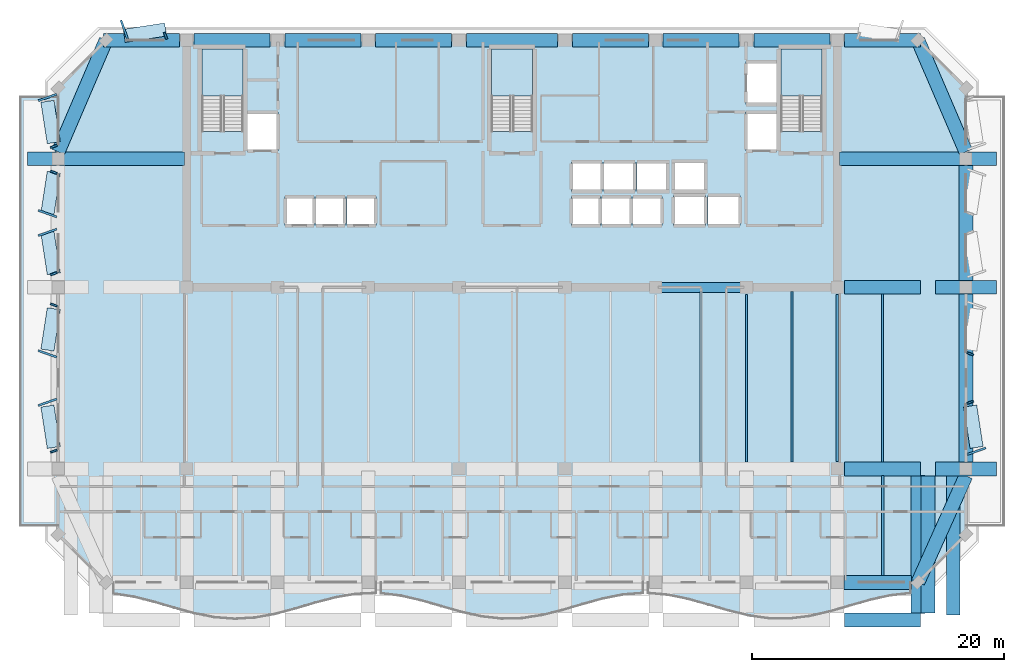
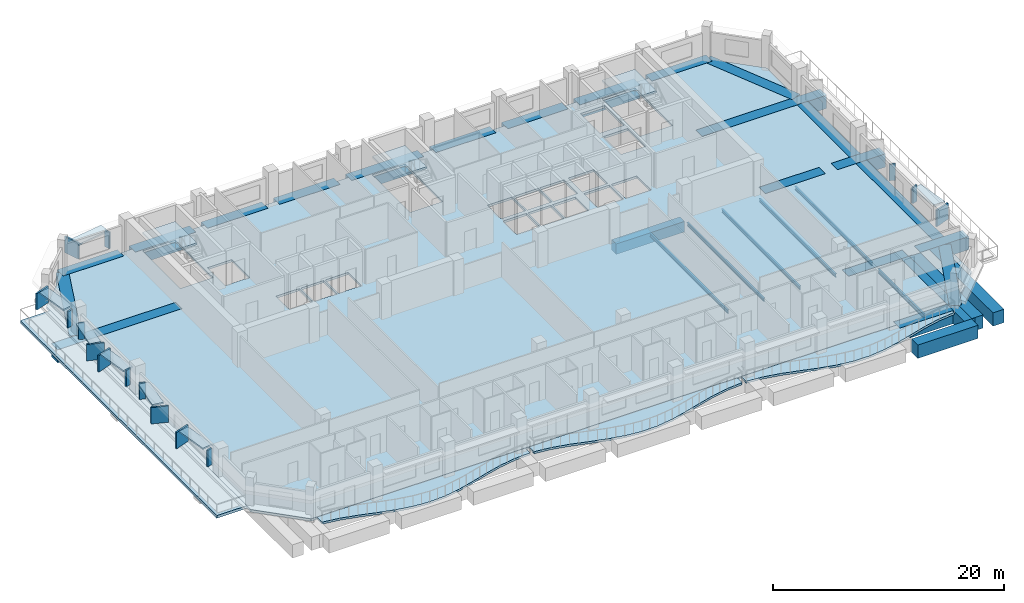
# One storey, part 2 of 13: 32 beams, 22 plates, 8 slabs, 3 elements without a shape of their own.
"""IFC4 building model written with IfcOpenShell, lengths in metres."""

from ifc_helpers import new_model, si_unit, direction, frame, origin, origin_2d, place, context, subcontext, project, spatial, polyline, rectangle, i_section, outline, extrude, material, layer, layer_set, material_profile, profile_set, type_object, element, aggregate, save


model = new_model("IFC4")

# Units and contexts
model_context = context("Model", 3, precision=1e-05, world=origin(), true_north=direction((0.0, 1.0)))
body_context = subcontext(model_context, "Body", "Model", "MODEL_VIEW")
ifc_project = project(units=[si_unit("LENGTHUNIT", "METRE"), si_unit("AREAUNIT", "SQUARE_METRE"), si_unit("VOLUMEUNIT", "CUBIC_METRE"), si_unit("PLANEANGLEUNIT", "RADIAN"), si_unit("MASSUNIT", "GRAM", prefix="KILO")], contexts=[model_context])

# Site, building, storey
site_placement = place(None, origin())
site = spatial("IfcSite", under=ifc_project, at=site_placement, CompositionType="ELEMENT")
building_placement = place(site_placement, origin())
building = spatial("IfcBuilding", under=site, at=building_placement, Name="Kaelvorn Grand Hotel", CompositionType="ELEMENT")
storey_placement = place(building_placement, frame((0.0, 0.0, 229.14990234375)))
storey = spatial("IfcBuildingStorey", under=building, at=storey_placement, Name="L56", CompositionType="ELEMENT", Elevation=229.14990234375)

# Beams
ifc_material_1 = material(Name="Steel S355", Category="steel")
ifc_material_profile_1 = material_profile(ifc_material_1, i_section(OverallWidth=0.169921875, OverallDepth=0.360107421875, WebThickness=0.008056640625, FlangeThickness=0.0126953125, FilletRadius=0.01806640625, at=origin_2d()), Name="IPE 360")
ifc_profile_set_1 = profile_set([ifc_material_profile_1], Name="Steel S355")
beam_type_1 = type_object("IfcBeamType", Name="BM-J-IPE360-S355", PredefinedType="JOIST", material=ifc_profile_set_1)
beam_1_placement = place(storey_placement, frame((57.0, 15.534912109375, -0.419921875), z_axis=(0.0, 1.0, 0.0), x_axis=(-1.0, 0.0, 0.0)))
element("IfcBeam", 1, at=beam_1_placement, inside=storey, type_object=beam_type_1, Name="L56 Composite Floor Joist JM-16", PredefinedType="JOIST", context=body_context, shape_type="SweptSolid", body=[
    extrude(i_section(OverallWidth=0.169921875, OverallDepth=0.360107421875, WebThickness=0.008056640625, FlangeThickness=0.0126953125, FilletRadius=0.01806640625, at=origin_2d()), origin(), (0.0, 0.0, 1.0), 13.525146484375),
])
beam_2_placement = place(storey_placement, frame((60.60009765625, 15.534912109375, -0.419921875), z_axis=(0.0, 1.0, 0.0), x_axis=(-1.0, 0.0, 0.0)))
element("IfcBeam", 2, at=beam_2_placement, inside=storey, type_object=beam_type_1, Name="L56 Composite Floor Joist JM-17", PredefinedType="JOIST", context=body_context, shape_type="SweptSolid", body=[
    extrude(i_section(OverallWidth=0.169921875, OverallDepth=0.360107421875, WebThickness=0.008056640625, FlangeThickness=0.0126953125, FilletRadius=0.01806640625, at=origin_2d()), origin(), (0.0, 0.0, 1.0), 13.280029296875),
])
beam_3_placement = place(storey_placement, frame((64.199951171875, 15.534912109375, -0.419921875), z_axis=(0.0, 1.0, 0.0), x_axis=(-1.0, 0.0, 0.0)))
element("IfcBeam", 3, at=beam_3_placement, inside=storey, type_object=beam_type_1, Name="L56 Composite Floor Joist JM-18", PredefinedType="JOIST", context=body_context, shape_type="SweptSolid", body=[
    extrude(i_section(OverallWidth=0.169921875, OverallDepth=0.360107421875, WebThickness=0.008056640625, FlangeThickness=0.0126953125, FilletRadius=0.01806640625, at=origin_2d()), origin(), (0.0, 0.0, 1.0), 13.525146484375),
])
beam_4_placement = place(storey_placement, frame((67.800048828125, 15.5849609375, -0.419921875), z_axis=(0.0, 1.0, 0.0), x_axis=(-1.0, 0.0, 0.0)))
element("IfcBeam", 4, at=beam_4_placement, inside=storey, type_object=beam_type_1, Name="L56 Composite Floor Joist JM-19", PredefinedType="JOIST", context=body_context, shape_type="SweptSolid", body=[
    extrude(i_section(OverallWidth=0.169921875, OverallDepth=0.360107421875, WebThickness=0.008056640625, FlangeThickness=0.0126953125, FilletRadius=0.01806640625, at=origin_2d()), origin(), (0.0, 0.0, 1.0), 13.22998046875),
])
beam_5_placement = place(storey_placement, frame((71.39990234375, 15.534912109375, -0.419921875), z_axis=(0.0, 1.0, 0.0), x_axis=(-1.0, 0.0, 0.0)))
element("IfcBeam", 5, at=beam_5_placement, inside=storey, type_object=beam_type_1, Name="L56 Composite Floor Joist JM-20", PredefinedType="JOIST", context=body_context, shape_type="SweptSolid", body=[
    extrude(i_section(OverallWidth=0.169921875, OverallDepth=0.360107421875, WebThickness=0.008056640625, FlangeThickness=0.0126953125, FilletRadius=0.01806640625, at=origin_2d()), origin(), (0.0, 0.0, 1.0), 13.330078125),
])
ifc_material_profile_2 = material_profile(ifc_material_1, i_section(OverallWidth=0.18994140625, OverallDepth=0.449951171875, WebThickness=0.009521484375, FlangeThickness=0.0146484375, FilletRadius=0.02099609375, at=origin_2d()), Name="IPE 450")
ifc_profile_set_2 = profile_set([ifc_material_profile_2], Name="Steel S355")
beam_type_2 = type_object("IfcBeamType", Name="BM-J-IPE450-S355", PredefinedType="JOIST", material=ifc_profile_set_2)
beam_6_placement = place(storey_placement, frame((71.39990234375, 6.534912109375, -0.46484375), z_axis=(0.0, 1.0, 0.0), x_axis=(-1.0, 0.0, 0.0)))
element("IfcBeam", 6, at=beam_6_placement, inside=storey, type_object=beam_type_2, Name="L56 Composite Floor Joist JS-20", PredefinedType="JOIST", context=body_context, shape_type="SweptSolid", body=[
    extrude(i_section(OverallWidth=0.18994140625, OverallDepth=0.449951171875, WebThickness=0.009521484375, FlangeThickness=0.0146484375, FilletRadius=0.02099609375, at=origin_2d()), origin(), (0.0, 0.0, 1.0), 7.93017578125),
])
ifc_material_2 = material(Name="Concrete C60/75", Category="concrete")
ifc_material_profile_3 = material_profile(ifc_material_2, rectangle(XDim=0.800048828125, YDim=1.10009765625, at=origin_2d()), Name="RC LINTEL 800x1100")
ifc_profile_set_3 = profile_set([ifc_material_profile_3], Name="Concrete C60/75")
beam_type_3 = type_object("IfcBeamType", Name="BM-LIN-800x1100-C60", PredefinedType="LINTEL", material=ifc_profile_set_3)
beam_7_placement = place(storey_placement, frame((53.580078125, 29.39990234375, -0.789794921875), z_axis=(1.0, 0.0, 0.0), x_axis=(0.0, 1.0, 0.0)))
element("IfcBeam", 7, at=beam_7_placement, inside=storey, type_object=beam_type_3, Name="L56 Rear-Core Coupling Lintel Beam CB1-03", PredefinedType="LINTEL", context=body_context, shape_type="SweptSolid", body=[
    extrude(rectangle(XDim=0.800048828125, YDim=1.10009765625, at=origin_2d()), origin(), (0.0, 0.0, 1.0), 6.83984375),
])
ifc_material_profile_4 = material_profile(ifc_material_2, rectangle(XDim=1.10009765625, YDim=1.39990234375, at=origin_2d()), Name="RC TG 1100x1400")
ifc_profile_set_4 = profile_set([ifc_material_profile_4], Name="Concrete C60/75")
beam_type_4 = type_object("IfcBeamType", Name="BM-TG-1100x1400-C60", PredefinedType="USERDEFINED", material=ifc_profile_set_4)
beam_8_placement = place(storey_placement, frame((68.385009765625, 15.0, -0.699951171875), z_axis=(1.0, 0.0, 0.0), x_axis=(0.0, 1.0, 0.0)))
element("IfcBeam", 8, at=beam_8_placement, inside=storey, type_object=beam_type_4, Name="L56 Setback Spine Transfer Girder TG2-M15 06", ObjectType="TRANSFER GIRDER", PredefinedType="USERDEFINED", context=body_context, shape_type="SweptSolid", body=[
    extrude(rectangle(XDim=1.10009765625, YDim=1.39990234375, at=origin_2d()), origin(), (0.0, 0.0, 1.0), 6.030029296875),
])
beam_9_placement = place(storey_placement, frame((75.5849609375, 15.0, -0.699951171875), z_axis=(1.0, 0.0, 0.0), x_axis=(0.0, 1.0, 0.0)))
element("IfcBeam", 9, at=beam_9_placement, inside=storey, type_object=beam_type_4, Name="L56 Setback Spine Transfer Girder TG2-M15 07", ObjectType="TRANSFER GIRDER", PredefinedType="USERDEFINED", context=body_context, shape_type="SweptSolid", body=[
    extrude(rectangle(XDim=1.10009765625, YDim=1.39990234375, at=origin_2d()), origin(), (0.0, 0.0, 1.0), 4.830078125),
])
beam_10_placement = place(storey_placement, frame((75.0, 3.5849609375, -0.699951171875), z_axis=(0.0, 1.0, 0.0), x_axis=(-1.0, 0.0, 0.0)))
element("IfcBeam", 10, at=beam_10_placement, inside=storey, type_object=beam_type_4, Name="L56 Setback Radial Transfer Girder TG2-S11 01", ObjectType="TRANSFER GIRDER", PredefinedType="USERDEFINED", context=body_context, shape_type="SweptSolid", body=[
    extrude(rectangle(XDim=1.10009765625, YDim=1.39990234375, at=origin_2d()), origin(), (0.0, 0.0, 1.0), 10.830078125),
])
beam_11_placement = place(storey_placement, frame((77.0, 3.405029296875, -0.699951171875), z_axis=(0.0, 1.0, 0.0), x_axis=(-1.0, 0.0, 0.0)))
element("IfcBeam", 11, at=beam_11_placement, inside=storey, type_object=beam_type_4, Name="L56 Setback Radial Transfer Girder TG2-S12 01", ObjectType="TRANSFER GIRDER", PredefinedType="USERDEFINED", context=body_context, shape_type="SweptSolid", body=[
    extrude(rectangle(XDim=1.10009765625, YDim=1.39990234375, at=origin_2d()), origin(), (0.0, 0.0, 1.0), 11.409912109375),
])
beam_12_placement = place(storey_placement, frame((68.385009765625, 29.39990234375, -0.699951171875), z_axis=(1.0, 0.0, 0.0), x_axis=(0.0, 1.0, 0.0)))
element("IfcBeam", 12, at=beam_12_placement, inside=storey, type_object=beam_type_4, Name="L56 Setback Radial Transfer Girder TG2-E01 01", ObjectType="TRANSFER GIRDER", PredefinedType="USERDEFINED", context=body_context, shape_type="SweptSolid", body=[
    extrude(rectangle(XDim=1.10009765625, YDim=1.39990234375, at=origin_2d()), origin(), (0.0, 0.0, 1.0), 6.030029296875),
])
beam_13_placement = place(storey_placement, frame((75.5849609375, 29.39990234375, -0.699951171875), z_axis=(1.0, 0.0, 0.0), x_axis=(0.0, 1.0, 0.0)))
element("IfcBeam", 13, at=beam_13_placement, inside=storey, type_object=beam_type_4, Name="L56 Setback Radial Transfer Girder TG2-E01 02", ObjectType="TRANSFER GIRDER", PredefinedType="USERDEFINED", context=body_context, shape_type="SweptSolid", body=[
    extrude(rectangle(XDim=1.10009765625, YDim=1.39990234375, at=origin_2d()), origin(), (0.0, 0.0, 1.0), 4.830078125),
])
for number, where, z_axis, x_axis, name in (
    (14, (3.5849609375, 39.60009765625, -0.699951171875), (1.0, 0.0, 0.0), (0.0, 1.0, 0.0), "L56 Setback Radial Transfer Girder TG2-W02 01"),
    (15, (67.985107421875, 39.60009765625, -0.699951171875), (1.0, 0.0, 0.0), (0.0, 1.0, 0.0), "L56 Setback Radial Transfer Girder TG2-E02 01"),
):
    element("IfcBeam", number, at=place(storey_placement, frame(where, z_axis=z_axis, x_axis=x_axis)), inside=storey, type_object=beam_type_4, Name=name, ObjectType="TRANSFER GIRDER", PredefinedType="USERDEFINED", context=body_context, shape_type="SweptSolid", body=[
        extrude(rectangle(XDim=1.10009765625, YDim=1.39990234375, at=origin_2d()), origin(), (0.0, 0.0, 1.0), 12.429931640625),
    ])
for number, where, z_axis, x_axis, name in (
    (16, (9.5849609375, 49.0, -0.699951171875), (1.0, 0.0, 0.0), (0.0, 1.0, 0.0), "L56 Setback North Transfer Girder 02"),
    (17, (16.784912109375, 49.0, -0.699951171875), (1.0, 0.0, 0.0), (0.0, 1.0, 0.0), "L56 Setback North Transfer Girder 03"),
):
    element("IfcBeam", number, at=place(storey_placement, frame(where, z_axis=z_axis, x_axis=x_axis)), inside=storey, type_object=beam_type_4, Name=name, ObjectType="TRANSFER GIRDER", PredefinedType="USERDEFINED", context=body_context, shape_type="SweptSolid", body=[
        extrude(rectangle(XDim=1.10009765625, YDim=1.39990234375, at=origin_2d()), origin(), (0.0, 0.0, 1.0), 6.030029296875),
    ])
beam_14_placement = place(storey_placement, frame((23.985107421875, 49.0, -0.699951171875), z_axis=(1.0, 0.0, 0.0), x_axis=(0.0, 1.0, 0.0)))
element("IfcBeam", 18, at=beam_14_placement, inside=storey, type_object=beam_type_4, Name="L56 Setback North Transfer Girder 04", ObjectType="TRANSFER GIRDER", PredefinedType="USERDEFINED", context=body_context, shape_type="SweptSolid", body=[
    extrude(rectangle(XDim=1.10009765625, YDim=1.39990234375, at=origin_2d()), origin(), (0.0, 0.0, 1.0), 6.02978515625),
])
beam_15_placement = place(storey_placement, frame((31.18505859375, 49.0, -0.699951171875), z_axis=(1.0, 0.0, 0.0), x_axis=(0.0, 1.0, 0.0)))
element("IfcBeam", 19, at=beam_15_placement, inside=storey, type_object=beam_type_4, Name="L56 Setback North Transfer Girder 05", ObjectType="TRANSFER GIRDER", PredefinedType="USERDEFINED", context=body_context, shape_type="SweptSolid", body=[
    extrude(rectangle(XDim=1.10009765625, YDim=1.39990234375, at=origin_2d()), origin(), (0.0, 0.0, 1.0), 6.030029296875),
])
beam_16_placement = place(storey_placement, frame((38.385009765625, 49.0, -0.699951171875), z_axis=(1.0, 0.0, 0.0), x_axis=(0.0, 1.0, 0.0)))
element("IfcBeam", 20, at=beam_16_placement, inside=storey, type_object=beam_type_4, Name="L56 Setback North Transfer Girder 06", ObjectType="TRANSFER GIRDER", PredefinedType="USERDEFINED", context=body_context, shape_type="SweptSolid", body=[
    extrude(rectangle(XDim=1.10009765625, YDim=1.39990234375, at=origin_2d()), origin(), (0.0, 0.0, 1.0), 7.22998046875),
])
beam_17_placement = place(storey_placement, frame((46.784912109375, 49.0, -0.699951171875), z_axis=(1.0, 0.0, 0.0), x_axis=(0.0, 1.0, 0.0)))
element("IfcBeam", 21, at=beam_17_placement, inside=storey, type_object=beam_type_4, Name="L56 Setback North Transfer Girder 07", ObjectType="TRANSFER GIRDER", PredefinedType="USERDEFINED", context=body_context, shape_type="SweptSolid", body=[
    extrude(rectangle(XDim=1.10009765625, YDim=1.39990234375, at=origin_2d()), origin(), (0.0, 0.0, 1.0), 6.030029296875),
])
beam_18_placement = place(storey_placement, frame((53.985107421875, 49.0, -0.699951171875), z_axis=(1.0, 0.0, 0.0), x_axis=(0.0, 1.0, 0.0)))
element("IfcBeam", 22, at=beam_18_placement, inside=storey, type_object=beam_type_4, Name="L56 Setback North Transfer Girder 08", ObjectType="TRANSFER GIRDER", PredefinedType="USERDEFINED", context=body_context, shape_type="SweptSolid", body=[
    extrude(rectangle(XDim=1.10009765625, YDim=1.39990234375, at=origin_2d()), origin(), (0.0, 0.0, 1.0), 6.02978515625),
])
for number, where, z_axis, x_axis, name in (
    (23, (61.18505859375, 49.0, -0.699951171875), (1.0, 0.0, 0.0), (0.0, 1.0, 0.0), "L56 Setback North Transfer Girder 09"),
    (24, (68.385009765625, 49.0, -0.699951171875), (1.0, 0.0, 0.0), (0.0, 1.0, 0.0), "L56 Setback North Transfer Girder 10"),
    (25, (68.385009765625, 3.0, -0.699951171875), (1.0, 0.0, 0.0), (0.0, 1.0, 0.0), "L56 Setback Outer South Transfer Girder 10"),
):
    element("IfcBeam", number, at=place(storey_placement, frame(where, z_axis=z_axis, x_axis=x_axis)), inside=storey, type_object=beam_type_4, Name=name, ObjectType="TRANSFER GIRDER", PredefinedType="USERDEFINED", context=body_context, shape_type="SweptSolid", body=[
        extrude(rectangle(XDim=1.10009765625, YDim=1.39990234375, at=origin_2d()), origin(), (0.0, 0.0, 1.0), 6.030029296875),
    ])
beam_19_placement = place(storey_placement, frame((74.199951171875, 3.534912109375, -0.699951171875), z_axis=(0.0, 1.0, 0.0), x_axis=(-1.0, 0.0, 0.0)))
element("IfcBeam", 26, at=beam_19_placement, inside=storey, type_object=beam_type_4, Name="L56 Setback Corner Radial Transfer Girder CHE", ObjectType="TRANSFER GIRDER", PredefinedType="USERDEFINED", context=body_context, shape_type="SweptSolid", body=[
    extrude(rectangle(XDim=1.10009765625, YDim=1.39990234375, at=origin_2d()), origin(), (0.0, 0.0, 1.0), 10.93017578125),
])
beam_20_placement = place(storey_placement, frame((68.324951171875, 6.0, -0.699951171875), z_axis=(1.0, 0.0, 0.0), x_axis=(0.0, 1.0, 0.0)))
element("IfcBeam", 27, at=beam_20_placement, inside=storey, type_object=beam_type_4, Name="L56 Setback South Ring Transfer Girder 09", ObjectType="TRANSFER GIRDER", PredefinedType="USERDEFINED", context=body_context, shape_type="SweptSolid", body=[
    extrude(rectangle(XDim=1.10009765625, YDim=1.39990234375, at=origin_2d()), origin(), (0.0, 0.0, 1.0), 5.35009765625),
])
beam_21_placement = place(storey_placement, frame((78.0, 15.52490234375, -0.699951171875), z_axis=(0.0, 1.0, 0.0), x_axis=(-1.0, 0.0, 0.0)))
element("IfcBeam", 28, at=beam_21_placement, inside=storey, type_object=beam_type_4, Name="L56 Setback E Ring Transfer Girder 01", ObjectType="TRANSFER GIRDER", PredefinedType="USERDEFINED", context=body_context, shape_type="SweptSolid", body=[
    extrude(rectangle(XDim=1.10009765625, YDim=1.39990234375, at=origin_2d()), origin(), (0.0, 0.0, 1.0), 13.35009765625),
])
beam_22_placement = place(storey_placement, frame((78.0, 29.925048828125, -0.699951171875), z_axis=(0.0, 1.0, 0.0), x_axis=(-1.0, 0.0, 0.0)))
element("IfcBeam", 29, at=beam_22_placement, inside=storey, type_object=beam_type_4, Name="L56 Setback E Ring Transfer Girder 02", ObjectType="TRANSFER GIRDER", PredefinedType="USERDEFINED", context=body_context, shape_type="SweptSolid", body=[
    extrude(rectangle(XDim=1.10009765625, YDim=1.39990234375, at=origin_2d()), origin(), (0.0, 0.0, 1.0), 9.14990234375),
])
beam_23_placement = place(storey_placement, frame((74.199951171875, 6.0, -0.699951171875), z_axis=(0.410146629694, 0.912019595267, 0.0), x_axis=(-0.912019595267, 0.410146629694, 0.0)))
element("IfcBeam", 30, at=beam_23_placement, inside=storey, type_object=beam_type_4, Name="L56 Setback Chamfer Transfer Girder 2", ObjectType="TRANSFER GIRDER", PredefinedType="USERDEFINED", context=body_context, shape_type="SweptSolid", body=[
    extrude(rectangle(XDim=1.10009765625, YDim=1.39990234375, at=origin_2d()), origin(), (0.0, 0.0, 1.0), 9.26513671875),
])
for number, where, z_axis, x_axis, name in (
    (31, (78.0, 40.14990234375, -0.699951171875), (-0.394546358898, 0.918876036623, 0.0), (-0.918876036623, -0.394546358898, 0.0), "L56 Setback Chamfer Transfer Girder 3"),
    (32, (9.800048828125, 49.0, -0.699951171875), (-0.394546358898, -0.918876036623, 0.0), (0.918876036623, -0.394546358898, 0.0), "L56 Setback Chamfer Transfer Girder 4"),
):
    element("IfcBeam", number, at=place(storey_placement, frame(where, z_axis=z_axis, x_axis=x_axis)), inside=storey, type_object=beam_type_4, Name=name, ObjectType="TRANSFER GIRDER", PredefinedType="USERDEFINED", context=body_context, shape_type="SweptSolid", body=[
        extrude(rectangle(XDim=1.10009765625, YDim=1.39990234375, at=origin_2d()), origin(), (0.0, 0.0, 1.0), 9.63134765625),
    ])

# Plates
ifc_material_3 = material(Name="Precast concrete C45/55", Category="concrete")
ifc_layer_1 = layer(ifc_material_3, 0.159912109375)
ifc_layer_set_1 = layer_set([ifc_layer_1], Name="Precast concrete C45/55")
plate_type_1 = type_object("IfcPlateType", Name="PL-FRAME-DEEP-1550", PredefinedType="USERDEFINED", material=ifc_layer_set_1)
for number, where, z_axis, x_axis, name in (
    (33, (78.844970703125, 16.39990234375, 0.81494140625), (0.0, 0.0, 1.0), (-0.333806859234, 0.942641491092, 0.0), "L56 Tilted Precast Window Frame Fin L-E01"),
    (34, (5.155029296875, 20.280029296875, 0.81494140625), (0.0, 0.0, 1.0), (-0.333806859234, 0.942641491092, 0.0), "L56 Tilted Precast Window Frame Fin R-W01"),
    (35, (5.155029296875, 24.1201171875, 0.81494140625), (0.0, 0.0, 1.0), (0.333806859234, 0.942641491092, 0.0), "L56 Tilted Precast Window Frame Fin L-W02"),
    (36, (5.155029296875, 33.7548828125, 0.740234375), (0.0, 0.0, 1.0), (-0.333806859234, 0.942641491092, 0.0), "L56 Tilted Precast Window Frame Fin R-W03"),
    (37, (5.155029296875, 35.2451171875, 0.740234375), (0.0, 0.0, 1.0), (0.333806859234, 0.942641491092, 0.0), "L56 Tilted Precast Window Frame Fin L-W04"),
    (38, (5.155029296875, 44.455078125, 0.81494140625), (0.0, 0.0, 1.0), (-0.333806859234, 0.942641491092, 0.0), "L56 Tilted Precast Window Frame Fin R-W05"),
    (39, (11.2451171875, 49.844970703125, 0.740234375), (0.0, 0.0, 1.0), (0.942641491092, 0.333806859234, 0.0), "L56 Tilted Precast Window Frame Fin L-N01"),
):
    element("IfcPlate", number, at=place(storey_placement, frame(where, z_axis=z_axis, x_axis=x_axis)), inside=storey, type_object=plate_type_1, Name=name, ObjectType="FLANGE_PLATE", PredefinedType="USERDEFINED", context=body_context, shape_type="SweptSolid", body=[
        extrude(rectangle(XDim=0.159912109375, YDim=1.550048828125, at=origin_2d()), origin(), (0.0, 0.0, 1.0), 1.719970703125),
    ])
ifc_layer_2 = layer(ifc_material_3, 0.159912109375)
ifc_layer_set_2 = layer_set([ifc_layer_2], Name="Precast concrete C45/55")
plate_type_2 = type_object("IfcPlateType", Name="PL-FRAME-HEAD-1050", PredefinedType="USERDEFINED", material=ifc_layer_set_2)
for number, where, z_axis, x_axis, name in (
    (40, (78.594970703125, 18.340087890625, 2.5), (0.0, 0.0, 1.0), (-0.152554625759, 0.988295040036, 0.0), "L56 Precast Window Frame Head Hood H-E01"),
    (41, (5.405029296875, 18.340087890625, 2.5), (0.0, 0.0, 1.0), (-0.152554625759, 0.988295040036, 0.0), "L56 Precast Window Frame Head Hood H-W01"),
    (42, (5.405029296875, 26.06005859375, 2.5), (0.0, 0.0, 1.0), (0.152554625759, 0.988295040036, 0.0), "L56 Precast Window Frame Head Hood H-W02"),
    (43, (5.405029296875, 32.114990234375, 2.35009765625), (0.0, 0.0, 1.0), (-0.152554625759, 0.988295040036, 0.0), "L56 Precast Window Frame Head Hood H-W03"),
    (44, (5.405029296875, 36.885009765625, 2.35009765625), (0.0, 0.0, 1.0), (0.152554625759, 0.988295040036, 0.0), "L56 Precast Window Frame Head Hood H-W04"),
    (45, (5.405029296875, 42.514892578125, 2.5), (0.0, 0.0, 1.0), (-0.152554625759, 0.988295040036, 0.0), "L56 Precast Window Frame Head Hood H-W05"),
    (46, (12.885009765625, 49.594970703125, 2.35009765625), (0.0, 0.0, 1.0), (0.988295040036, 0.152554625759, 0.0), "L56 Precast Window Frame Head Hood H-N01"),
):
    element("IfcPlate", number, at=place(storey_placement, frame(where, z_axis=z_axis, x_axis=x_axis)), inside=storey, type_object=plate_type_2, Name=name, ObjectType="FLANGE_PLATE", PredefinedType="USERDEFINED", context=body_context, shape_type="SweptSolid", body=[
        extrude(rectangle(XDim=3.320068359375, YDim=1.050048828125, at=origin_2d()), origin(), (0.0, 0.0, 1.0), 0.159912109375),
    ])
ifc_layer_3 = layer(ifc_material_3, 0.159912109375)
ifc_layer_set_3 = layer_set([ifc_layer_3], Name="Precast concrete C45/55")
plate_type_3 = type_object("IfcPlateType", Name="PL-FRAME-SHAL-550", PredefinedType="USERDEFINED", material=ifc_layer_set_3)
for number, where, z_axis, x_axis, name in (
    (47, (78.344970703125, 20.280029296875, 0.81494140625), (0.0, 0.0, 1.0), (-0.333806859234, 0.942641491092, 0.0), "L56 Tilted Precast Window Frame Fin R-E01"),
    (48, (78.344970703125, 24.1201171875, 0.81494140625), (0.0, 0.0, 1.0), (0.333806859234, 0.942641491092, 0.0), "L56 Tilted Precast Window Frame Fin L-E02"),
    (49, (5.655029296875, 16.39990234375, 0.81494140625), (0.0, 0.0, 1.0), (-0.333806859234, 0.942641491092, 0.0), "L56 Tilted Precast Window Frame Fin L-W01"),
    (50, (5.655029296875, 28.0, 0.81494140625), (0.0, 0.0, 1.0), (0.333806859234, 0.942641491092, 0.0), "L56 Tilted Precast Window Frame Fin R-W02"),
    (51, (5.655029296875, 30.47509765625, 0.740234375), (0.0, 0.0, 1.0), (-0.333806859234, 0.942641491092, 0.0), "L56 Tilted Precast Window Frame Fin L-W03"),
    (52, (5.655029296875, 38.52490234375, 0.740234375), (0.0, 0.0, 1.0), (0.333806859234, 0.942641491092, 0.0), "L56 Tilted Precast Window Frame Fin R-W04"),
    (53, (5.655029296875, 40.574951171875, 0.81494140625), (0.0, 0.0, 1.0), (-0.333806859234, 0.942641491092, 0.0), "L56 Tilted Precast Window Frame Fin L-W05"),
    (54, (14.52490234375, 49.344970703125, 0.740234375), (0.0, 0.0, 1.0), (0.942641491092, 0.333806859234, 0.0), "L56 Tilted Precast Window Frame Fin R-N01"),
):
    element("IfcPlate", number, at=place(storey_placement, frame(where, z_axis=z_axis, x_axis=x_axis)), inside=storey, type_object=plate_type_3, Name=name, ObjectType="FLANGE_PLATE", PredefinedType="USERDEFINED", context=body_context, shape_type="SweptSolid", body=[
        extrude(rectangle(XDim=0.159912109375, YDim=0.550048828125, at=origin_2d()), origin(), (0.0, 0.0, 1.0), 1.719970703125),
    ])

# Slabs
ifc_material_4 = material(Name="Concrete C40/50", Category="concrete")
ifc_layer_4 = layer(ifc_material_4, 0.219970703125)
ifc_layer_set_4 = layer_set([ifc_layer_4], Name="Concrete C40/50")
slab_type_1 = type_object("IfcSlabType", Name="SLB-BALC-220-C40", PredefinedType="FLOOR", material=ifc_layer_set_4)
slab_1_placement = place(storey_placement, frame((0.0, 0.0, -0.219970703125)))
element("IfcSlab", 55, at=slab_1_placement, inside=storey, type_object=slab_type_1, Name="L56 Scalloped Wave Balcony Slab 1", PredefinedType="FLOOR", context=body_context, shape_type="SweptSolid", body=[
    extrude(outline(polyline([(10.39990234375, 5.099853515625), (12.0, 4.85400390625), (13.60009765625, 4.453125), (15.199951171875, 3.982421875), (16.800048828125, 3.5419921875), (18.39990234375, 3.2255859375), (20.0, 3.1005859375), (21.60009765625, 3.193603515625), (23.199951171875, 3.484619140625), (24.800048828125, 3.911865234375), (26.39990234375, 4.384521484375), (28.0, 4.802001953125), (29.60009765625, 5.075439453125), (31.199951171875, 5.146484375), (31.199951171875, 6.0), (10.39990234375, 6.0), (10.39990234375, 5.099853515625)])), origin(), (0.0, 0.0, 1.0), 0.219970703125),
])
slab_2_placement = place(storey_placement, frame((0.0, 0.0, -0.219970703125)))
element("IfcSlab", 56, at=slab_2_placement, inside=storey, type_object=slab_type_1, Name="L56 Scalloped Wave Balcony Slab 2", PredefinedType="FLOOR", context=body_context, shape_type="SweptSolid", body=[
    extrude(outline(polyline([(31.60009765625, 5.130126953125), (33.199951171875, 4.9326171875), (34.800048828125, 4.5634765625), (36.39990234375, 4.10107421875), (38.0, 3.643798828125), (39.60009765625, 3.288818359375), (41.199951171875, 3.11181640625), (42.800048828125, 3.150146484375), (44.39990234375, 3.39599609375), (46.0, 3.796875), (47.60009765625, 4.267578125), (49.199951171875, 4.7080078125), (50.800048828125, 5.0244140625), (52.39990234375, 5.1494140625), (52.39990234375, 6.0), (31.60009765625, 6.0), (31.60009765625, 5.130126953125)])), origin(), (0.0, 0.0, 1.0), 0.219970703125),
])
slab_3_placement = place(storey_placement, frame((0.0, 0.0, -0.219970703125)))
element("IfcSlab", 57, at=slab_3_placement, inside=storey, type_object=slab_type_1, Name="L56 Scalloped Wave Balcony Slab 3", PredefinedType="FLOOR", context=body_context, shape_type="SweptSolid", body=[
    extrude(outline(polyline([(52.800048828125, 5.146484375), (54.39990234375, 5.00048828125), (56.0, 4.668212890625), (57.60009765625, 4.22021484375), (59.199951171875, 3.752197265625), (60.800048828125, 3.36328125), (62.39990234375, 3.136474609375), (64.0, 3.119873046875), (65.60009765625, 3.3173828125), (67.199951171875, 3.6865234375), (68.800048828125, 4.14892578125), (70.39990234375, 4.606201171875), (72.0, 4.961181640625), (73.60009765625, 5.13818359375), (73.60009765625, 6.0), (52.800048828125, 6.0), (52.800048828125, 5.146484375)])), origin(), (0.0, 0.0, 1.0), 0.219970703125),
])
ifc_layer_5 = layer(ifc_material_4, 0.239990234375)
ifc_layer_set_5 = layer_set([ifc_layer_5], Name="Concrete C40/50")
slab_type_2 = type_object("IfcSlabType", Name="SLB-FLR-240-C40", PredefinedType="FLOOR", material=ifc_layer_set_5)
slab_4_placement = place(storey_placement, frame((0.0, 0.0, -0.239990234375)))
element("IfcSlab", 58, at=slab_4_placement, inside=storey, type_object=slab_type_2, Name="L56 Indoor Suspended Floor Slab", PredefinedType="FLOOR", context=body_context, shape_type="SweptSolid", body=[
    extrude(outline(polyline([(9.800048828125, 6.0), (74.199951171875, 6.0), (78.0, 9.800048828125), (78.0, 45.199951171875), (74.199951171875, 49.0), (9.800048828125, 49.0), (6.0, 45.199951171875), (6.0, 9.800048828125), (9.800048828125, 6.0)]), holes=[polyline([(17.39990234375, 41.760009765625), (17.39990234375, 48.300048828125), (20.679931640625, 48.300048828125), (20.679931640625, 41.760009765625), (17.39990234375, 41.760009765625)]), polyline([(40.360107421875, 41.760009765625), (40.360107421875, 48.300048828125), (43.639892578125, 48.300048828125), (43.639892578125, 41.760009765625), (40.360107421875, 41.760009765625)]), polyline([(63.320068359375, 41.760009765625), (63.320068359375, 48.300048828125), (66.60009765625, 48.300048828125), (66.60009765625, 41.760009765625), (63.320068359375, 41.760009765625)]), polyline([(24.0, 34.300048828125), (24.0, 36.60009765625), (26.300048828125, 36.60009765625), (26.300048828125, 34.300048828125), (24.0, 34.300048828125)]), polyline([(26.449951171875, 34.300048828125), (26.449951171875, 36.60009765625), (28.75, 36.60009765625), (28.75, 34.300048828125), (26.449951171875, 34.300048828125)]), polyline([(28.89990234375, 34.300048828125), (28.89990234375, 36.60009765625), (31.199951171875, 36.60009765625), (31.199951171875, 34.300048828125), (28.89990234375, 34.300048828125)]), polyline([(46.699951171875, 34.300048828125), (46.699951171875, 36.60009765625), (49.0, 36.60009765625), (49.0, 34.300048828125), (46.699951171875, 34.300048828125)]), polyline([(49.14990234375, 34.300048828125), (49.14990234375, 36.60009765625), (51.449951171875, 36.60009765625), (51.449951171875, 34.300048828125), (49.14990234375, 34.300048828125)]), polyline([(51.60009765625, 34.300048828125), (51.60009765625, 36.60009765625), (53.89990234375, 36.60009765625), (53.89990234375, 34.300048828125), (51.60009765625, 34.300048828125)]), polyline([(46.699951171875, 37.0), (46.699951171875, 39.35009765625), (49.14990234375, 39.35009765625), (49.14990234375, 37.0), (46.699951171875, 37.0)]), polyline([(49.300048828125, 37.0), (49.300048828125, 39.35009765625), (51.75, 39.35009765625), (51.75, 37.0), (49.300048828125, 37.0)]), polyline([(51.89990234375, 37.0), (51.89990234375, 39.35009765625), (54.35009765625, 39.35009765625), (54.35009765625, 37.0), (51.89990234375, 37.0)]), polyline([(54.800048828125, 34.300048828125), (54.800048828125, 36.699951171875), (57.35009765625, 36.699951171875), (57.35009765625, 34.300048828125), (54.800048828125, 34.300048828125)]), polyline([(57.550048828125, 34.300048828125), (57.550048828125, 36.699951171875), (60.10009765625, 36.699951171875), (60.10009765625, 34.300048828125), (57.550048828125, 34.300048828125)]), polyline([(54.800048828125, 37.0), (54.800048828125, 39.39990234375), (57.35009765625, 39.39990234375), (57.35009765625, 37.0), (54.800048828125, 37.0)]), polyline([(21.0, 40.199951171875), (21.0, 43.300048828125), (23.449951171875, 43.300048828125), (23.449951171875, 40.199951171875), (21.0, 40.199951171875)]), polyline([(60.550048828125, 40.199951171875), (60.550048828125, 43.300048828125), (63.0, 43.300048828125), (63.0, 40.199951171875), (60.550048828125, 40.199951171875)]), polyline([(60.550048828125, 43.89990234375), (60.550048828125, 47.300048828125), (63.0, 47.300048828125), (63.0, 43.89990234375), (60.550048828125, 43.89990234375)])]), origin(), (0.0, 0.0, 1.0), 0.239990234375),
])

# Stair, slab
stair_type = type_object("IfcStairType", Name="STR-DOG-1560-R09", PredefinedType="HALF_TURN_STAIR", material=ifc_material_4)
stair_1_placement = place(storey_placement, origin())
stair_1 = element("IfcStair", 59, at=stair_1_placement, inside=storey, type_object=stair_type, Name="L56 West Core Exit Stair ST1", PredefinedType="HALF_TURN_STAIR")
ifc_layer_6 = layer(ifc_material_4, 0.199951171875)
ifc_layer_set_6 = layer_set([ifc_layer_6], Name="Concrete C40/50")
slab_type_3 = type_object("IfcSlabType", Name="SLB-LAND-200-C40", PredefinedType="LANDING", material=ifc_layer_set_6)
slab_5_placement = place(storey_placement, frame((0.0, 0.0, 1.775146484375)))
slab_5 = element("IfcSlab", 60, at=slab_5_placement, type_object=slab_type_3, Name="ST1 landing 1", PredefinedType="LANDING", context=body_context, shape_type="SweptSolid", body=[
    extrude(outline(polyline([(20.679931640625, 44.56005859375), (20.679931640625, 48.300048828125), (17.39990234375, 48.300048828125), (17.39990234375, 44.56005859375), (20.679931640625, 44.56005859375)])), origin(), (0.0, 0.0, 1.0), 0.199951171875),
])
aggregate(stair_1, [slab_5])

stair_2_placement = place(storey_placement, origin())
stair_2 = element("IfcStair", 61, at=stair_2_placement, inside=storey, type_object=stair_type, Name="L56 Central Core Exit Stair ST2", PredefinedType="HALF_TURN_STAIR")
slab_6_placement = place(storey_placement, frame((0.0, 0.0, 1.775146484375)))
slab_6 = element("IfcSlab", 62, at=slab_6_placement, type_object=slab_type_3, Name="ST2 landing 1", PredefinedType="LANDING", context=body_context, shape_type="SweptSolid", body=[
    extrude(outline(polyline([(43.639892578125, 44.56005859375), (43.639892578125, 48.300048828125), (40.360107421875, 48.300048828125), (40.360107421875, 44.56005859375), (43.639892578125, 44.56005859375)])), origin(), (0.0, 0.0, 1.0), 0.199951171875),
])
aggregate(stair_2, [slab_6])

stair_3_placement = place(storey_placement, origin())
stair_3 = element("IfcStair", 63, at=stair_3_placement, inside=storey, type_object=stair_type, Name="L56 East Core Exit Stair ST3", PredefinedType="HALF_TURN_STAIR")
slab_7_placement = place(storey_placement, frame((0.0, 0.0, 1.775146484375)))
slab_7 = element("IfcSlab", 64, at=slab_7_placement, type_object=slab_type_3, Name="ST3 landing 1", PredefinedType="LANDING", context=body_context, shape_type="SweptSolid", body=[
    extrude(outline(polyline([(66.60009765625, 44.56005859375), (66.60009765625, 48.300048828125), (63.320068359375, 48.300048828125), (63.320068359375, 44.56005859375), (66.60009765625, 44.56005859375)])), origin(), (0.0, 0.0, 1.0), 0.199951171875),
])
aggregate(stair_3, [slab_7])

# Slab
ifc_layer_7 = layer(ifc_material_4, 0.280029296875)
ifc_layer_set_7 = layer_set([ifc_layer_7], Name="Concrete C40/50")
slab_type_4 = type_object("IfcSlabType", Name="SLB-TERR-280-C40", PredefinedType="ROOF", material=ifc_layer_set_7)
slab_8_placement = place(storey_placement, frame((0.0, 0.0, -0.27978515625)))
element("IfcSlab", 65, at=slab_8_placement, inside=storey, type_object=slab_type_4, Name="L56 Setback Sky Terrace Roof Slab W", PredefinedType="ROOF", context=body_context, shape_type="SweptSolid", body=[
    extrude(outline(polyline([(3.0, 10.5), (6.0, 10.5), (6.0, 44.5), (3.0, 44.5), (3.0, 10.5)])), origin(), (0.0, 0.0, 1.0), 0.27978515625),
])

save(model, "model.ifc")
